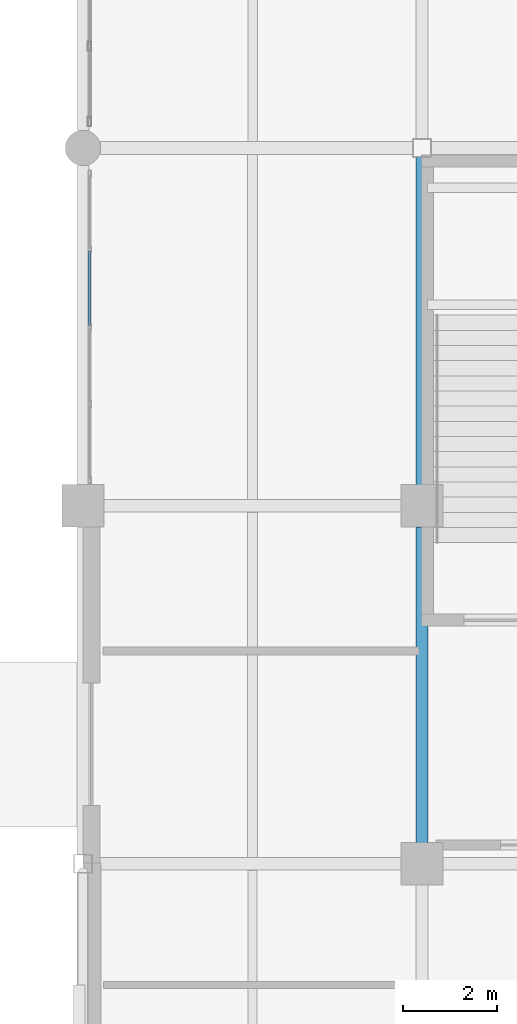
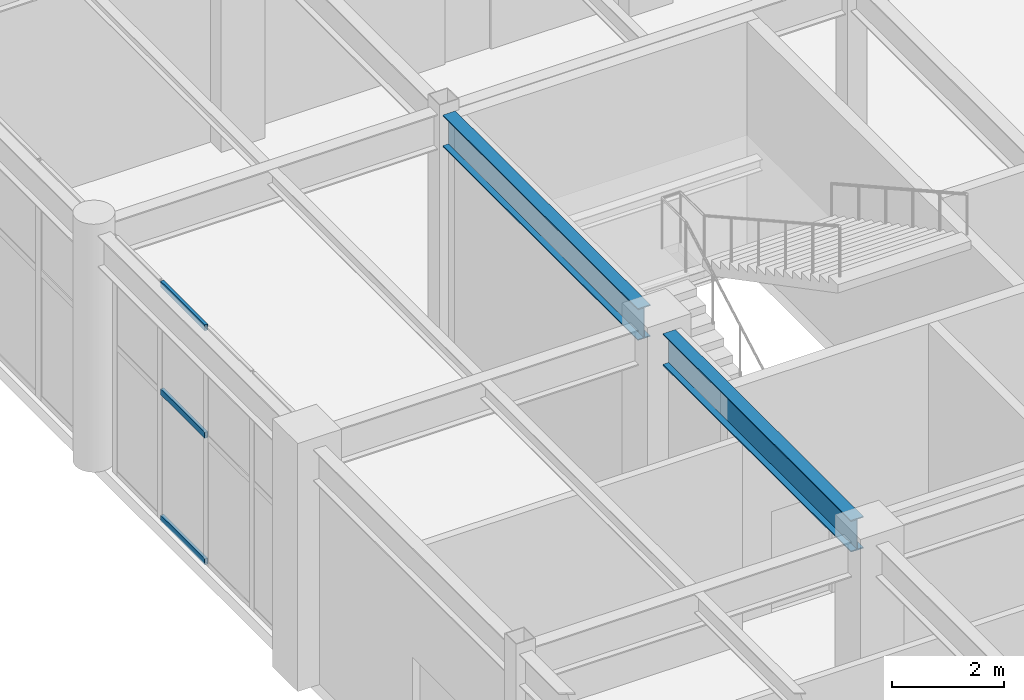
# One storey, part 42 of 139: 3 members, 2 beams, 1 element without a shape of its own.
"""IFC4 building model written with IfcOpenShell, lengths in metres."""

import ifcopenshell
import ifcopenshell.guid

model = None  # the IFC model being written
_history = None  # IfcOwnerHistory: only IFC2X3 demands one
_inside = {}  # id of a spatial element -> (the spatial element, [elements in it])
_under = {}  # id of a project, library or spatial element -> (it, [spatial elements below it])
_declared = {}  # id of a project -> (the project, [libraries it declares])
_typed = {}  # id of a type object -> (the type object, [elements of that type])
_made_of = {}  # id of a material, layer set ... -> (it, [elements and type objects made of it])


def new_model(schema):
    """Start an empty IFC model of exactly this schema.

    Asked for "IFC4X3", IfcOpenShell would pick the latest addendum, in which some entities
    have other attributes; the version numbers below select the first issue.
    IFC2X3 requires an IfcOwnerHistory on every rooted entity: one is made here for all.
    """
    global model, _history
    if schema == "IFC4X3":
        model = ifcopenshell.file(schema_version=(4, 3, 0, 0))
    else:
        model = ifcopenshell.file(schema=schema)
    _inside.clear()
    _under.clear()
    _declared.clear()
    _typed.clear()
    _made_of.clear()
    _history = None
    if model.schema == "IFC2X3":
        org = make("IfcOrganization", Name="unknown")
        user = make(
            "IfcPersonAndOrganization",
            ThePerson=make("IfcPerson", FamilyName="unknown"),
            TheOrganization=org,
        )
        app = make(
            "IfcApplication",
            ApplicationDeveloper=org,
            Version="unknown",
            ApplicationFullName="unknown",
            ApplicationIdentifier="unknown",
        )
        _history = make(
            "IfcOwnerHistory",
            OwningUser=user,
            OwningApplication=app,
            ChangeAction="ADDED",
            CreationDate=0,
        )
    return model


def make(cls, **values):
    """One entity of the class cls with the attributes given. An attribute that is None is left unset."""
    return model.create_entity(
        cls, **{name: value for name, value in values.items() if value is not None}
    )


def rooted(cls, **values):
    """An entity with a GlobalId (a new one), such as an element, a storey or a relation."""
    return make(cls, GlobalId=ifcopenshell.guid.new(), OwnerHistory=_history, **values)


def si_unit(unit_type, name, prefix=None):
    """IfcSIUnit, for example si_unit("LENGTHUNIT", "METRE", prefix="MILLI")."""
    return make("IfcSIUnit", UnitType=unit_type, Prefix=prefix, Name=name)


def assignment(units):
    """IfcUnitAssignment: the units of a project."""
    return None if units is None else make("IfcUnitAssignment", Units=units)


def point(xyz):
    """IfcCartesianPoint."""
    return None if xyz is None else make("IfcCartesianPoint", Coordinates=xyz)


def direction(xyz):
    """IfcDirection."""
    return None if xyz is None else make("IfcDirection", DirectionRatios=xyz)


def frame(location, z_axis=None, x_axis=None):
    """IfcAxis2Placement3D, a coordinate frame: its origin and axes. An axis left out is left unset."""
    return make(
        "IfcAxis2Placement3D",
        Location=point(location),
        Axis=direction(z_axis),
        RefDirection=direction(x_axis),
    )


def frame_2d(location, x_axis=None):
    """IfcAxis2Placement2D, a coordinate frame in the plane: its origin and x axis."""
    return make(
        "IfcAxis2Placement2D", Location=point(location), RefDirection=direction(x_axis)
    )


def origin():
    """The frame at (0, 0, 0) with its axes left unset."""
    return frame((0.0, 0.0, 0.0))


def origin_2d():
    """The frame at (0, 0) in the plane with its x axis left unset."""
    return frame_2d((0.0, 0.0))


def place(relative_to, where):
    """IfcLocalPlacement: puts the frame where relative to a parent placement (None: the world)."""
    return make(
        "IfcLocalPlacement", PlacementRelTo=relative_to, RelativePlacement=where
    )


def context(
    kind, dimensions, precision=None, world=None, true_north=None, identifier=None
):
    """IfcGeometricRepresentationContext, for example the 3D "Model" context."""
    return make(
        "IfcGeometricRepresentationContext",
        ContextIdentifier=identifier,
        ContextType=kind,
        CoordinateSpaceDimension=dimensions,
        Precision=precision,
        WorldCoordinateSystem=world,
        TrueNorth=true_north,
    )


def subcontext(parent, identifier, kind, view, scale=None):
    """IfcGeometricRepresentationSubContext, for example "Body" below "Model"."""
    return make(
        "IfcGeometricRepresentationSubContext",
        ContextIdentifier=identifier,
        ContextType=kind,
        ParentContext=parent,
        TargetScale=scale,
        TargetView=view,
    )


def project(units=None, contexts=None):
    """IfcProject with its units and contexts."""
    return rooted(
        "IfcProject",
        Name="project",
        RepresentationContexts=contexts,
        UnitsInContext=assignment(units),
    )


def spatial(cls, under=None, at=None, **own):
    """A site, building, storey or space (cls), placed at a placement, below another one or the project."""
    s = rooted(cls, ObjectPlacement=at, **own)
    if under is not None:
        _under.setdefault(under.id(), (under, []))[1].append(s)
    return s


def profile(cls, at=None, kind="AREA", **sizes):
    """A parametric profile (cls). Its sizes go by their IFC names, for example OverallWidth=200.0."""
    return make(cls, ProfileType=kind, Position=at, **sizes)


def hollow_rectangle(**sizes):
    """IfcRectangleHollowProfileDef."""
    return profile("IfcRectangleHollowProfileDef", **sizes)


def i_section(**sizes):
    """IfcIShapeProfileDef."""
    return profile("IfcIShapeProfileDef", **sizes)


def extrude(swept, where, along, depth):
    """IfcExtrudedAreaSolid: the profile swept, set in the frame where, extruded along a direction by depth."""
    return make(
        "IfcExtrudedAreaSolid",
        SweptArea=swept,
        Position=where,
        ExtrudedDirection=direction(along),
        Depth=depth,
    )


def shape(context_of_items, identifier, shape_type, items):
    """IfcShapeRepresentation: the items that make up one representation, for example the "Body"."""
    return make(
        "IfcShapeRepresentation",
        ContextOfItems=context_of_items,
        RepresentationIdentifier=identifier,
        RepresentationType=shape_type,
        Items=items,
    )


def material(Name=None, Category=None):
    """IfcMaterial."""
    return make("IfcMaterial", Name=Name, Category=Category)


def layer(
    of_material, thickness, ventilated=None, Name=None, Category=None, Priority=None
):
    """IfcMaterialLayer: one layer of a wall or slab, of a material (None: an air gap)."""
    return make(
        "IfcMaterialLayer",
        Material=of_material,
        LayerThickness=thickness,
        IsVentilated=ventilated,
        Name=Name,
        Category=Category,
        Priority=Priority,
    )


def layer_set(layers, Name=None):
    """IfcMaterialLayerSet."""
    return make("IfcMaterialLayerSet", MaterialLayers=layers, LayerSetName=Name)


def material_profile(
    of_material, cross_section, Name=None, Category=None, Priority=None
):
    """IfcMaterialProfile: a cross section and its material."""
    return make(
        "IfcMaterialProfile",
        Name=Name,
        Material=of_material,
        Profile=cross_section,
        Priority=Priority,
        Category=Category,
    )


def profile_set(profiles, Name=None, composite=None):
    """IfcMaterialProfileSet."""
    return make(
        "IfcMaterialProfileSet",
        Name=Name,
        MaterialProfiles=profiles,
        CompositeProfile=composite,
    )


def made_of(thing, what):
    """Note that an element or type object is made of a material, layer set ...; save() writes the relation."""
    if what is not None:
        _made_of.setdefault(what.id(), (what, []))[1].append(thing)
    return thing


def type_object(cls, material=None, **own):
    """A type object (cls), such as IfcWallType, which elements share."""
    return made_of(rooted(cls, **own), material)


def element(
    cls,
    number,
    at=None,
    inside=None,
    cuts=None,
    type_object=None,
    material=None,
    context=None,
    identifier="Body",
    shape_type=None,
    held_by="IfcProductDefinitionShape",
    body=None,
    shapes=None,
    **own,
):
    """One element of the class cls, such as IfcWall. Its Tag is "e" and its number.

    at: its placement. inside: the storey or other place that contains it. cuts: it is an
    opening in that element (IfcRelVoidsElement). A single representation is given by context,
    identifier, shape_type and body (its items); several are given by shapes. held_by: the class
    of the entity that holds the representations. save() writes the other relations.
    """
    e = rooted(cls, Tag="e%d" % number, ObjectPlacement=at, **own)
    if body is not None:
        shapes = [shape(context, identifier, shape_type, body)]
    if shapes is not None:
        e.Representation = make(held_by, Representations=shapes)
    if inside is not None:
        _inside.setdefault(inside.id(), (inside, []))[1].append(e)
    if cuts is not None:
        rooted(
            "IfcRelVoidsElement", RelatingBuildingElement=cuts, RelatedOpeningElement=e
        )
    if type_object is not None:
        _typed.setdefault(type_object.id(), (type_object, []))[1].append(e)
    return made_of(e, material)


def aggregate(whole, parts):
    """IfcRelAggregates: a whole, such as a stair, and the parts it consists of."""
    return rooted("IfcRelAggregates", RelatingObject=whole, RelatedObjects=parts)


def save(model, path):
    """Write the relations noted so far, then the file.

    IfcRelAggregates (storeys below a building ...), IfcRelContainedInSpatialStructure (elements
    in a storey), IfcRelDefinesByType, IfcRelAssociatesMaterial and IfcRelDeclares: one each for
    every whole, place, type object, material and project.
    """
    for whole, parts in _under.values():
        aggregate(whole, parts)
    for where, things in _inside.values():
        rooted(
            "IfcRelContainedInSpatialStructure",
            RelatedElements=things,
            RelatingStructure=where,
        )
    for kind, things in _typed.values():
        rooted("IfcRelDefinesByType", RelatedObjects=things, RelatingType=kind)
    for what, things in _made_of.values():
        rooted("IfcRelAssociatesMaterial", RelatedObjects=things, RelatingMaterial=what)
    for by, libraries in _declared.values():
        rooted("IfcRelDeclares", RelatingContext=by, RelatedDefinitions=libraries)
    model.write(path)


model = new_model("IFC4")

# Units and contexts
model_context = context("Model", 3, precision=1e-05, world=origin(), true_north=direction((0.0, 1.0)))
body_context = subcontext(model_context, "Body", "Model", "MODEL_VIEW")
ifc_project = project(units=[si_unit("LENGTHUNIT", "METRE"), si_unit("AREAUNIT", "SQUARE_METRE"), si_unit("VOLUMEUNIT", "CUBIC_METRE"), si_unit("PLANEANGLEUNIT", "RADIAN"), si_unit("MASSUNIT", "GRAM", prefix="KILO")], contexts=[model_context])

# Site, building, storey
site_placement = place(None, origin())
site = spatial("IfcSite", under=ifc_project, at=site_placement, CompositionType="ELEMENT")
building_placement = place(site_placement, origin())
building = spatial("IfcBuilding", under=site, at=building_placement, Name="Xicomal Pleat Aquarium", CompositionType="ELEMENT")
storey_placement = place(building_placement, origin())
storey = spatial("IfcBuildingStorey", under=building, at=storey_placement, Name="L01", CompositionType="ELEMENT", Elevation=0.0)

# Beams
ifc_material_1 = material(Name="Structural steel A992 Gr 50", Category="steel")
ifc_material_profile_1 = material_profile(ifc_material_1, i_section(OverallWidth=0.256103515625, OverallDepth=0.693115234375, WebThickness=0.014404296875, FlangeThickness=0.023681640625, at=origin_2d()), Name="IR 690x170")
ifc_profile_set_1 = profile_set([ifc_material_profile_1], Name="Structural steel A992 Gr 50")
beam_type = type_object("IfcBeamType", Name="BM-STL-IR690", PredefinedType="BEAM", material=ifc_profile_set_1)
beam_1_placement = place(storey_placement, frame((10.199951171875, 61.2451171875, 4.8134765625), z_axis=(0.0, 1.0, 0.0), x_axis=(-1.0, 0.0, 0.0)))
element("IfcBeam", 1, at=beam_1_placement, inside=storey, type_object=beam_type, Name="L01 framing beam FGY-L01-02-J-K", PredefinedType="BEAM", context=body_context, shape_type="SweptSolid", body=[
    extrude(i_section(OverallWidth=0.256103515625, OverallDepth=0.693115234375, WebThickness=0.014404296875, FlangeThickness=0.023681640625, at=origin_2d()), origin(), (0.0, 0.0, 1.0), 6.7099609375),
])
beam_2_placement = place(storey_placement, frame((10.199951171875, 68.844970703125, 4.8134765625), z_axis=(0.0, 1.0, 0.0), x_axis=(-1.0, 0.0, 0.0)))
element("IfcBeam", 2, at=beam_2_placement, inside=storey, type_object=beam_type, Name="L01 framing beam FGY-L01-02-K-L", PredefinedType="BEAM", context=body_context, shape_type="SweptSolid", body=[
    extrude(i_section(OverallWidth=0.256103515625, OverallDepth=0.693115234375, WebThickness=0.014404296875, FlangeThickness=0.023681640625, at=origin_2d()), origin(), (0.0, 0.0, 1.0), 6.9599609375),
])

# Curtain wall, members
ifc_material_2 = material(Name="Bronze anodized aluminium 6063-T6", Category="aluminium")
ifc_layer = layer(ifc_material_2, 0.159912109375)
ifc_layer_set = layer_set([ifc_layer], Name="Bronze anodized aluminium 6063-T6")
curtain_wall_type = type_object("IfcCurtainWallType", Name="CW-SYS-01", PredefinedType="NOTDEFINED", material=ifc_layer_set)
curtain_wall_placement = place(storey_placement, origin())
curtain_wall = element("IfcCurtainWall", 3, at=curtain_wall_placement, inside=storey, type_object=curtain_wall_type, Name="L01 unitised curtain wall CW-L01-009", PredefinedType="NOTDEFINED")
ifc_material_3 = material(Name="Bronze anodized aluminium 6063-T6", Category="aluminium")
ifc_material_profile_2 = material_profile(ifc_material_3, hollow_rectangle(XDim=0.06494140625, YDim=0.1298828125, WallThickness=0.00390625, at=origin_2d()), Name="ALU TRAN 65x130")
ifc_profile_set_2 = profile_set([ifc_material_profile_2], Name="Bronze anodized aluminium 6063-T6")
member_type = type_object("IfcMemberType", Name="CWT-65x130", PredefinedType="USERDEFINED", material=ifc_profile_set_2)
member_1_placement = place(storey_placement, frame((3.139892578125, 72.232421875, 0.032470703125), z_axis=(0.0, 1.0, 0.0), x_axis=(-1.0, 0.0, 0.0)))
member_1 = element("IfcMember", 4, at=member_1_placement, type_object=member_type, Name="CW-01 transom 3.1", ObjectType="TRANSOM", PredefinedType="USERDEFINED", context=body_context, shape_type="SweptSolid", body=[
    extrude(hollow_rectangle(XDim=0.06494140625, YDim=0.1298828125, WallThickness=0.00390625, at=origin_2d()), origin(), (0.0, 0.0, 1.0), 1.5751953125),
])
member_2_placement = place(storey_placement, frame((3.139892578125, 72.232421875, 2.785888671875), z_axis=(0.0, 1.0, 0.0), x_axis=(-1.0, 0.0, 0.0)))
member_2 = element("IfcMember", 5, at=member_2_placement, type_object=member_type, Name="CW-01 transom 3.2", ObjectType="TRANSOM", PredefinedType="USERDEFINED", context=body_context, shape_type="SweptSolid", body=[
    extrude(hollow_rectangle(XDim=0.06494140625, YDim=0.1298828125, WallThickness=0.00390625, at=origin_2d()), origin(), (0.0, 0.0, 1.0), 1.5751953125),
])
member_3_placement = place(storey_placement, frame((3.139892578125, 72.232421875, 5.12744140625), z_axis=(0.0, 1.0, 0.0), x_axis=(-1.0, 0.0, 0.0)))
member_3 = element("IfcMember", 6, at=member_3_placement, type_object=member_type, Name="CW-01 transom 3.3", ObjectType="TRANSOM", PredefinedType="USERDEFINED", context=body_context, shape_type="SweptSolid", body=[
    extrude(hollow_rectangle(XDim=0.06494140625, YDim=0.1298828125, WallThickness=0.00390625, at=origin_2d()), origin(), (0.0, 0.0, 1.0), 1.5751953125),
])
aggregate(curtain_wall, [member_1, member_2, member_3])

save(model, "model.ifc")
